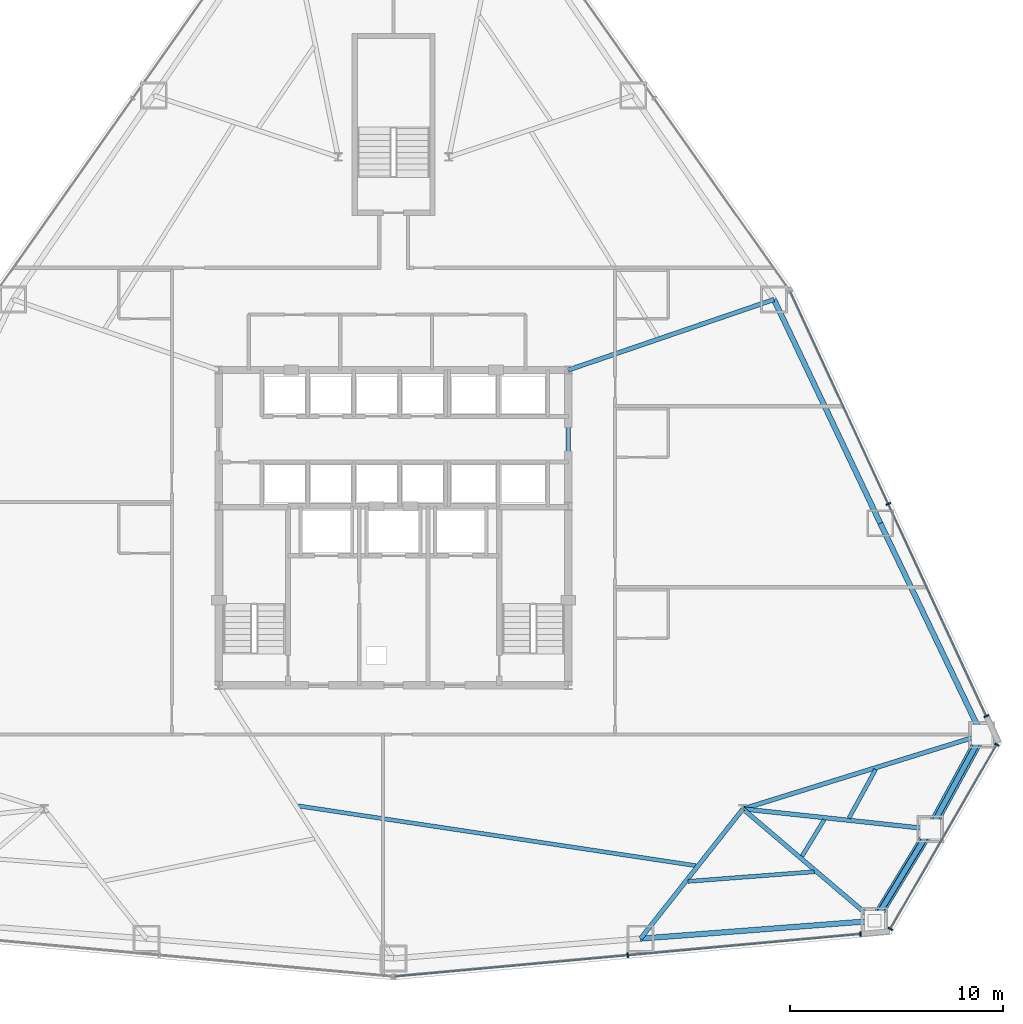
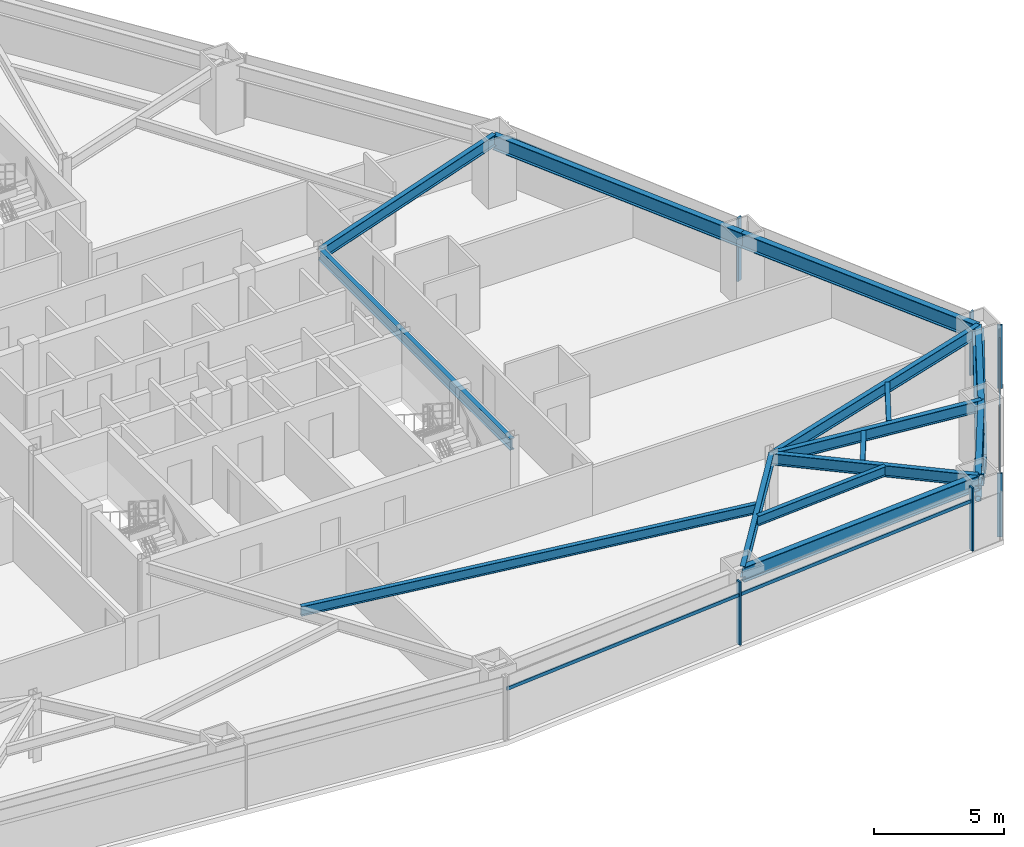
# One storey, part 6 of 12: 15 beams, 12 members, 3 elements without a shape of their own.
"""IFC4 building model written with IfcOpenShell, lengths in metres."""

from ifc_helpers import new_model, si_unit, direction, frame, origin, origin_2d, place, context, subcontext, project, spatial, rectangle, hollow_rectangle, hollow_circle, i_section, extrude, source, transform, mapped, material, layer, layer_set, material_profile, profile_set, type_object, type_shapes, element, aggregate, save


model = new_model("IFC4")

# Units and contexts
model_context = context("Model", 3, precision=1e-05, world=origin(), true_north=direction((0.0, 1.0)))
body_context = subcontext(model_context, "Body", "Model", "MODEL_VIEW")
ifc_project = project(units=[si_unit("LENGTHUNIT", "METRE"), si_unit("AREAUNIT", "SQUARE_METRE"), si_unit("VOLUMEUNIT", "CUBIC_METRE"), si_unit("PLANEANGLEUNIT", "RADIAN"), si_unit("MASSUNIT", "GRAM", prefix="KILO")], contexts=[model_context])

# Site, building, storey
site_placement = place(None, origin())
site = spatial("IfcSite", under=ifc_project, at=site_placement, CompositionType="ELEMENT")
building_placement = place(site_placement, origin())
building = spatial("IfcBuilding", under=site, at=building_placement, Name="Varakhsha Concourse Tower", CompositionType="ELEMENT")
storey_placement = place(building_placement, frame((0.0, 0.0, 36.800048828125)))
storey = spatial("IfcBuildingStorey", under=building, at=storey_placement, Name="L09", CompositionType="ELEMENT", Elevation=36.800048828125)

# Beams
ifc_material_1 = material(Name="Structural Steel ASTM A992 Grade 50", Category="steel")
ifc_material_profile_1 = material_profile(ifc_material_1, i_section(OverallWidth=0.19091796875, OverallDepth=0.45703125, WebThickness=0.009033203125, FlangeThickness=0.013916015625, at=origin_2d()), Name="W18X50")
ifc_profile_set_1 = profile_set([ifc_material_profile_1], Name="Structural Steel ASTM A992 Grade 50")
beam_type_1 = type_object("IfcBeamType", Name="BM-JST-W18X50", PredefinedType="JOIST", material=ifc_profile_set_1)
beam_1_placement = place(storey_placement, frame((35.516845703125, 10.743896484375, 2.75146484375), z_axis=(0.988878100932, -0.14872828076, 0.0), x_axis=(0.14872828076, 0.988878100932, 0.0)))
element("IfcBeam", 1, at=beam_1_placement, inside=storey, type_object=beam_type_1, Name="BM-TJST-L09-11", PredefinedType="JOIST", context=body_context, shape_type="SweptSolid", body=[
    extrude(i_section(OverallWidth=0.19091796875, OverallDepth=0.45703125, WebThickness=0.009033203125, FlangeThickness=0.013916015625, at=origin_2d()), origin(), (0.0, 0.0, 1.0), 18.869384765625),
])
beam_2_placement = place(storey_placement, frame((53.81787109375, 7.198974609375, 2.75146484375), z_axis=(0.997106436116, 0.076018123203, 0.0), x_axis=(-0.076018123203, 0.997106436116, 0.0)))
element("IfcBeam", 2, at=beam_2_placement, inside=storey, type_object=beam_type_1, Name="BM-TJST-L09-12", PredefinedType="JOIST", context=body_context, shape_type="SweptSolid", body=[
    extrude(i_section(OverallWidth=0.19091796875, OverallDepth=0.45703125, WebThickness=0.009033203125, FlangeThickness=0.013916015625, at=origin_2d()), origin(), (0.0, 0.0, 1.0), 5.944580078125),
])
beam_3_placement = place(storey_placement, frame((59.171875, 8.38330078125, 2.75146484375), z_axis=(0.519892692072, 0.854231577928, 0.0), x_axis=(-0.854231577928, 0.519892692072, 0.0)))
element("IfcBeam", 3, at=beam_3_placement, inside=storey, type_object=beam_type_1, Name="BM-TJST-L09-13", PredefinedType="JOIST", context=body_context, shape_type="SweptSolid", body=[
    extrude(i_section(OverallWidth=0.19091796875, OverallDepth=0.45703125, WebThickness=0.009033203125, FlangeThickness=0.013916015625, at=origin_2d()), origin(), (0.0, 0.0, 1.0), 1.99853515625),
])
beam_4_placement = place(storey_placement, frame((61.3759765625, 10.167724609375, 2.75146484375), z_axis=(0.479732261901, 0.877414928578, 0.0), x_axis=(-0.877414928578, 0.479732261901, 0.0)))
element("IfcBeam", 4, at=beam_4_placement, inside=storey, type_object=beam_type_1, Name="BM-TJST-L09-14", PredefinedType="JOIST", context=body_context, shape_type="SweptSolid", body=[
    extrude(i_section(OverallWidth=0.19091796875, OverallDepth=0.45703125, WebThickness=0.009033203125, FlangeThickness=0.013916015625, at=origin_2d()), origin(), (0.0, 0.0, 1.0), 2.603515625),
])
ifc_material_profile_2 = material_profile(ifc_material_1, i_section(OverallWidth=0.2109375, OverallDepth=0.5390625, WebThickness=0.011962890625, FlangeThickness=0.01904296875, at=origin_2d()), Name="W21X73")
ifc_profile_set_2 = profile_set([ifc_material_profile_2], Name="Structural Steel ASTM A992 Grade 50")
beam_type_2 = type_object("IfcBeamType", Name="BM-RAD-W21X73", PredefinedType="BEAM", material=ifc_profile_set_2)
beam_5_placement = place(storey_placement, frame((48.199951171875, 16.39990234375, 2.71044921875), z_axis=(0.0, 1.0, 0.0), x_axis=(-1.0, 0.0, 0.0)))
element("IfcBeam", 5, at=beam_5_placement, inside=storey, type_object=beam_type_2, Name="BM-TCORE-L09-CE", PredefinedType="BEAM", context=body_context, shape_type="SweptSolid", body=[
    extrude(i_section(OverallWidth=0.2109375, OverallDepth=0.5390625, WebThickness=0.011962890625, FlangeThickness=0.01904296875, at=origin_2d()), origin(), (0.0, 0.0, 1.0), 14.800048828125),
])
beam_6_placement = place(storey_placement, frame((56.39990234375, 10.60009765625, 2.71044921875), z_axis=(-0.619646329508, -0.78488115427, 0.0), x_axis=(0.78488115427, -0.619646329508, 0.0)))
element("IfcBeam", 6, at=beam_6_placement, inside=storey, type_object=beam_type_2, Name="L09 Radial Floor Girder 12", PredefinedType="BEAM", context=body_context, shape_type="SweptSolid", body=[
    extrude(i_section(OverallWidth=0.2109375, OverallDepth=0.5390625, WebThickness=0.011962890625, FlangeThickness=0.01904296875, at=origin_2d()), origin(), (0.0, 0.0, 1.0), 7.757080078125),
])
beam_7_placement = place(storey_placement, frame((56.39990234375, 10.60009765625, 2.71044921875), z_axis=(0.761498250571, -0.648166964892, 0.0), x_axis=(0.648166964892, 0.761498250571, 0.0)))
element("IfcBeam", 7, at=beam_7_placement, inside=storey, type_object=beam_type_2, Name="L09 Radial Floor Girder 13", PredefinedType="BEAM", context=body_context, shape_type="SweptSolid", body=[
    extrude(i_section(OverallWidth=0.2109375, OverallDepth=0.5390625, WebThickness=0.011962890625, FlangeThickness=0.01904296875, at=origin_2d()), origin(), (0.0, 0.0, 1.0), 8.10205078125),
])
beam_8_placement = place(storey_placement, frame((56.39990234375, 10.60009765625, 2.71044921875), z_axis=(0.994280497061, -0.106800248893, 0.0), x_axis=(0.106800248893, 0.994280497061, 0.0)))
element("IfcBeam", 8, at=beam_8_placement, inside=storey, type_object=beam_type_2, Name="L09 Radial Floor Girder 14", PredefinedType="BEAM", context=body_context, shape_type="SweptSolid", body=[
    extrude(i_section(OverallWidth=0.2109375, OverallDepth=0.5390625, WebThickness=0.011962890625, FlangeThickness=0.01904296875, at=origin_2d()), origin(), (0.0, 0.0, 1.0), 8.842041015625),
])
beam_9_placement = place(storey_placement, frame((56.39990234375, 10.60009765625, 2.71044921875), z_axis=(0.955056624601, 0.2964234198, 0.0), x_axis=(-0.2964234198, 0.955056624601, 0.0)))
element("IfcBeam", 9, at=beam_9_placement, inside=storey, type_object=beam_type_2, Name="L09 Radial Floor Girder 15", PredefinedType="BEAM", context=body_context, shape_type="SweptSolid", body=[
    extrude(i_section(OverallWidth=0.2109375, OverallDepth=0.5390625, WebThickness=0.011962890625, FlangeThickness=0.01904296875, at=origin_2d()), origin(), (0.0, 0.0, 1.0), 11.73828125),
])
beam_10_placement = place(storey_placement, frame((48.199951171875, 31.199951171875, 2.71044921875), z_axis=(0.945992273848, 0.324189169805, 0.0), x_axis=(-0.324189169805, 0.945992273848, 0.0)))
element("IfcBeam", 10, at=beam_10_placement, inside=storey, type_object=beam_type_2, Name="L09 Radial Floor Girder 17", PredefinedType="BEAM", context=body_context, shape_type="SweptSolid", body=[
    extrude(i_section(OverallWidth=0.2109375, OverallDepth=0.5390625, WebThickness=0.011962890625, FlangeThickness=0.01904296875, at=origin_2d()), origin(), (0.0, 0.0, 1.0), 10.20654296875),
])
ifc_material_profile_3 = material_profile(ifc_material_1, i_section(OverallWidth=0.25390625, OverallDepth=0.701904296875, WebThickness=0.014892578125, FlangeThickness=0.028076171875, at=origin_2d()), Name="W27X129")
ifc_profile_set_3 = profile_set([ifc_material_profile_3], Name="Structural Steel ASTM A992 Grade 50")
beam_type_3 = type_object("IfcBeamType", Name="BM-SPAN-W27X129", PredefinedType="SPANDREL", material=ifc_profile_set_3)
beam_11_placement = place(storey_placement, frame((51.59326171875, 4.51171875, 2.62890625), z_axis=(0.997105791948, 0.076026572094, 0.0), x_axis=(-0.076026572094, 0.997105791948, 0.0)))
element("IfcBeam", 11, at=beam_11_placement, inside=storey, type_object=beam_type_3, Name="BM-SPAN-L09-12", PredefinedType="SPANDREL", context=body_context, shape_type="SweptSolid", body=[
    extrude(i_section(OverallWidth=0.25390625, OverallDepth=0.701904296875, WebThickness=0.014892578125, FlangeThickness=0.028076171875, at=origin_2d()), origin(), (0.0, 0.0, 1.0), 11.008056640625),
])
beam_12_placement = place(storey_placement, frame((62.569580078125, 5.3486328125, 2.62890625), z_axis=(0.519960770998, 0.85419014079, 0.0), x_axis=(-0.85419014079, 0.519960770998, 0.0)))
element("IfcBeam", 12, at=beam_12_placement, inside=storey, type_object=beam_type_3, Name="BM-SPAN-L09-13", PredefinedType="SPANDREL", context=body_context, shape_type="SweptSolid", body=[
    extrude(i_section(OverallWidth=0.25390625, OverallDepth=0.701904296875, WebThickness=0.014892578125, FlangeThickness=0.028076171875, at=origin_2d()), origin(), (0.0, 0.0, 1.0), 5.042236328125),
])
beam_13_placement = place(storey_placement, frame((65.19140625, 9.65576171875, 2.62890625), z_axis=(0.479798364466, 0.87737878334, 0.0), x_axis=(-0.87737878334, 0.479798364466, 0.0)))
element("IfcBeam", 13, at=beam_13_placement, inside=storey, type_object=beam_type_3, Name="BM-SPAN-L09-14", PredefinedType="SPANDREL", context=body_context, shape_type="SweptSolid", body=[
    extrude(i_section(OverallWidth=0.25390625, OverallDepth=0.701904296875, WebThickness=0.014892578125, FlangeThickness=0.028076171875, at=origin_2d()), origin(), (0.0, 0.0, 1.0), 5.0419921875),
])
beam_14_placement = place(storey_placement, frame((67.610595703125, 14.07958984375, 2.62890625), z_axis=(-0.432704390999, 0.901535861744, 0.0), x_axis=(-0.901535861744, -0.432704390999, 0.0)))
element("IfcBeam", 14, at=beam_14_placement, inside=storey, type_object=beam_type_3, Name="BM-SPAN-L09-15", PredefinedType="SPANDREL", context=body_context, shape_type="SweptSolid", body=[
    extrude(i_section(OverallWidth=0.25390625, OverallDepth=0.701904296875, WebThickness=0.014892578125, FlangeThickness=0.028076171875, at=origin_2d()), origin(), (0.0, 0.0, 1.0), 11.008544921875),
])
beam_15_placement = place(storey_placement, frame((62.84716796875, 24.004150390625, 2.62890625), z_axis=(-0.429213950227, 0.903202848164, 0.0), x_axis=(-0.903202848164, -0.429213950227, 0.0)))
element("IfcBeam", 15, at=beam_15_placement, inside=storey, type_object=beam_type_3, Name="BM-SPAN-L09-16", PredefinedType="SPANDREL", context=body_context, shape_type="SweptSolid", body=[
    extrude(i_section(OverallWidth=0.25390625, OverallDepth=0.701904296875, WebThickness=0.014892578125, FlangeThickness=0.028076171875, at=origin_2d()), origin(), (0.0, 0.0, 1.0), 11.63037109375),
])

# Members
ifc_material_2 = material(Name="Structural Steel ASTM A500 Grade C", Category="steel")
ifc_material_profile_4 = material_profile(ifc_material_2, hollow_rectangle(XDim=0.449951171875, YDim=0.449951171875, WallThickness=0.01904296875, at=origin_2d()), Name="HSS 450x450x19")
ifc_profile_set_4 = profile_set([ifc_material_profile_4], Name="Structural Steel ASTM A500 Grade C")
member_type_1 = type_object("IfcMemberType", Name="MB-TUBE-HSS450", PredefinedType="BRACE", material=ifc_profile_set_4)
shared_shape_1 = source(origin(), body_context, "Body", "SweptSolid", [
    extrude(hollow_rectangle(XDim=0.449951171875, YDim=0.449951171875, WallThickness=0.01904296875, at=origin_2d()), origin(), (0.0, 0.0, 1.0), 5.65478515625),
])
member_1_placement = place(storey_placement, frame((65.19140625, 9.65576171875, 0.119873046875), z_axis=(0.427812544431, 0.782315400654, 0.452724022697), x_axis=(-0.87737878334, 0.479798364466, 0.0)))
element("IfcMember", 16, at=member_1_placement, inside=storey, type_object=member_type_1, Name="L09 Wind-Corner Tube Brace B06", PredefinedType="BRACE", context=body_context, shape_type="MappedRepresentation", body=[
    mapped(shared_shape_1, transform((0.0, 0.0, 0.0), scale=1.0)),
])
shared_shape_2 = source(origin(), body_context, "Body", "SweptSolid", [
    extrude(hollow_rectangle(XDim=0.449951171875, YDim=0.449951171875, WallThickness=0.01904296875, at=origin_2d()), origin(), (0.0, 0.0, 1.0), 5.655029296875),
])
type_shapes(member_type_1, [shared_shape_1, shared_shape_2])
member_2_placement = place(storey_placement, frame((65.19140625, 9.65576171875, 0.119873046875), z_axis=(-0.463628238856, -0.761647210159, 0.452705625537), x_axis=(0.85419014079, -0.519960770998, 0.0)))
element("IfcMember", 17, at=member_2_placement, inside=storey, type_object=member_type_1, Name="L09 Wind-Corner Tube Brace B05", PredefinedType="BRACE", context=body_context, shape_type="MappedRepresentation", body=[
    mapped(shared_shape_2, transform((0.0, 0.0, 0.0), scale=1.0)),
])
ifc_material_profile_5 = material_profile(ifc_material_2, hollow_circle(Radius=0.136474609375, WallThickness=0.011962890625, at=origin_2d()), Name="CHS 273x12")
ifc_profile_set_5 = profile_set([ifc_material_profile_5], Name="Structural Steel ASTM A500 Grade C")
member_type_2 = type_object("IfcMemberType", Name="MB-WIND-CHS273", PredefinedType="COLLAR", material=ifc_profile_set_5)
shared_shape_3 = source(origin(), body_context, "Body", "SweptSolid", [
    extrude(hollow_circle(Radius=0.136474609375, WallThickness=0.011962890625, at=origin_2d()), origin(), (0.0, 0.0, 1.0), 5.042236328125),
])
type_shapes(member_type_2, [shared_shape_3])
member_3_placement = place(storey_placement, frame((62.569580078125, 5.3486328125, 1.800048828125), z_axis=(0.519960770998, 0.85419014079, 0.0), x_axis=(-0.85419014079, 0.519960770998, 0.0)))
element("IfcMember", 18, at=member_3_placement, inside=storey, type_object=member_type_2, Name="L09 Wind-Corner Collar Tie 3", PredefinedType="COLLAR", context=body_context, shape_type="MappedRepresentation", body=[
    mapped(shared_shape_3, transform((0.0, 0.0, 0.0), scale=1.0)),
])

# Curtain wall, members
ifc_material_3 = material(Name="Anodised Bronze Architectural Aluminium AA 6063-T6", Category="aluminium")
ifc_layer = layer(ifc_material_3, 0.219970703125, Name="CW-SYS-02")
ifc_layer_set = layer_set([ifc_layer], Name="Anodised Bronze Architectural Aluminium AA 6063-T6")
curtain_wall_type = type_object("IfcCurtainWallType", Name="CW-SYS-02", PredefinedType="NOTDEFINED", material=ifc_layer_set)
curtain_wall_1_placement = place(storey_placement, origin())
curtain_wall_1 = element("IfcCurtainWall", 19, at=curtain_wall_1_placement, inside=storey, type_object=curtain_wall_type, Name="L09 Crystal Curtain Wall F6", PredefinedType="NOTDEFINED")
ifc_material_profile_6 = material_profile(ifc_material_3, rectangle(XDim=0.074951171875, YDim=0.219970703125, at=origin_2d()), Name="CWM-220X75")
ifc_profile_set_6 = profile_set([ifc_material_profile_6], Name="Anodised Bronze Architectural Aluminium AA 6063-T6")
member_type_3 = type_object("IfcMemberType", Name="CWM-220X75", PredefinedType="MULLION", material=ifc_profile_set_6)
shared_shape_4 = source(origin(), body_context, "Body", "SweptSolid", [
    extrude(rectangle(XDim=0.074951171875, YDim=0.219970703125, at=origin_2d()), origin(), (0.0, 0.0, 1.0), 2.97998046875),
])
type_shapes(member_type_3, [shared_shape_4])
member_4_placement = place(storey_placement, frame((61.917724609375, 4.73046875, 0.0), z_axis=(0.0, 0.0, 1.0), x_axis=(-0.995866028897, -0.090834203295, 0.0)))
member_4 = element("IfcMember", 20, at=member_4_placement, type_object=member_type_3, Name="CW-L09-F6 Mullion 00", PredefinedType="MULLION", context=body_context, shape_type="MappedRepresentation", body=[
    mapped(shared_shape_4, transform((0.0, 0.0, 0.0), scale=1.0)),
])
member_5_placement = place(storey_placement, frame((50.991455078125, 3.73388671875, 0.0), z_axis=(0.0, 0.0, 1.0), x_axis=(-0.995866028897, -0.090834203295, 0.0)))
member_5 = element("IfcMember", 21, at=member_5_placement, type_object=member_type_3, Name="CW-L09-F6 Mullion 01", PredefinedType="MULLION", context=body_context, shape_type="MappedRepresentation", body=[
    mapped(shared_shape_4, transform((0.0, 0.0, 0.0), scale=1.0)),
])

curtain_wall_2_placement = place(storey_placement, origin())
curtain_wall_2 = element("IfcCurtainWall", 22, at=curtain_wall_2_placement, inside=storey, type_object=curtain_wall_type, Name="L09 Chamfer Curtain Wall F7", PredefinedType="NOTDEFINED")
member_6_placement = place(storey_placement, frame((68.31201171875, 13.620849609375, 0.0), z_axis=(0.0, 0.0, 1.0), x_axis=(-0.4999984885, -0.866026276448, 0.0)))
member_6 = element("IfcMember", 23, at=member_6_placement, type_object=member_type_3, Name="CW-L09-F7 Mullion 00", PredefinedType="MULLION", context=body_context, shape_type="MappedRepresentation", body=[
    mapped(shared_shape_4, transform((0.0, 0.0, 0.0), scale=1.0)),
])
member_7_placement = place(storey_placement, frame((63.31787109375, 4.970458984375, 0.0), z_axis=(0.0, 0.0, 1.0), x_axis=(-0.4999984885, -0.866026276448, 0.0)))
member_7 = element("IfcMember", 24, at=member_7_placement, type_object=member_type_3, Name="CW-L09-F7 Mullion 01", PredefinedType="MULLION", context=body_context, shape_type="MappedRepresentation", body=[
    mapped(shared_shape_4, transform((0.0, 0.0, 0.0), scale=1.0)),
])

curtain_wall_3_placement = place(storey_placement, origin())
curtain_wall_3 = element("IfcCurtainWall", 25, at=curtain_wall_3_placement, inside=storey, type_object=curtain_wall_type, Name="L09 Crystal Curtain Wall F8", PredefinedType="NOTDEFINED")
member_8_placement = place(storey_placement, frame((63.219970703125, 24.914306640625, 0.0), z_axis=(0.0, 0.0, 1.0), x_axis=(0.419269871381, -0.907861649676, 0.0)))
member_8 = element("IfcMember", 26, at=member_8_placement, type_object=member_type_3, Name="CW-L09-F8 Mullion 01", PredefinedType="MULLION", context=body_context, shape_type="MappedRepresentation", body=[
    mapped(shared_shape_4, transform((0.0, 0.0, 0.0), scale=1.0)),
])
member_9_placement = place(storey_placement, frame((67.820068359375, 14.953369140625, 0.0), z_axis=(0.0, 0.0, 1.0), x_axis=(0.419269871381, -0.907861649676, 0.0)))
member_9 = element("IfcMember", 27, at=member_9_placement, type_object=member_type_3, Name="CW-L09-F8 Mullion 02", PredefinedType="MULLION", context=body_context, shape_type="MappedRepresentation", body=[
    mapped(shared_shape_4, transform((0.0, 0.0, 0.0), scale=1.0)),
])

# Member
ifc_material_profile_7 = material_profile(ifc_material_3, rectangle(XDim=0.06494140625, YDim=0.159912109375, at=origin_2d()), Name="CWT-160X65")
ifc_profile_set_7 = profile_set([ifc_material_profile_7], Name="Anodised Bronze Architectural Aluminium AA 6063-T6")
member_type_4 = type_object("IfcMemberType", Name="CWT-160X65", PredefinedType="USERDEFINED", material=ifc_profile_set_7)
shared_shape_5 = source(origin(), body_context, "Body", "SweptSolid", [
    extrude(rectangle(XDim=0.06494140625, YDim=0.159912109375, at=origin_2d()), origin(), (0.0, 0.0, 1.0), 21.943359375),
])
member_10_placement = place(storey_placement, frame((61.917724609375, 4.73046875, 2.329833984375), z_axis=(-0.995866167966, -0.09083267859, 0.0), x_axis=(0.09083267859, -0.995866167966, 0.0)))
member_10 = element("IfcMember", 28, at=member_10_placement, type_object=member_type_4, Name="CW-L09-F6 Transom 01", ObjectType="TRANSOM", PredefinedType="USERDEFINED", context=body_context, shape_type="MappedRepresentation", body=[
    mapped(shared_shape_5, transform((0.0, 0.0, 0.0), scale=1.0)),
])

aggregate(curtain_wall_1, [member_4, member_5, member_10])

member_11_placement = place(storey_placement, frame((58.619873046875, 34.875, 2.329833984375), z_axis=(0.419268418601, -0.907862320599, 0.0), x_axis=(0.907862320599, 0.419268418601, 0.0)))
member_11 = element("IfcMember", 29, at=member_11_placement, type_object=member_type_4, Name="CW-L09-F8 Transom 01", ObjectType="TRANSOM", PredefinedType="USERDEFINED", context=body_context, shape_type="MappedRepresentation", body=[
    mapped(shared_shape_5, transform((0.0, 0.0, 0.0), scale=1.0)),
])

aggregate(curtain_wall_3, [member_8, member_9, member_11])

shared_shape_6 = source(origin(), body_context, "Body", "SweptSolid", [
    extrude(rectangle(XDim=0.06494140625, YDim=0.159912109375, at=origin_2d()), origin(), (0.0, 0.0, 1.0), 9.988525390625),
])
type_shapes(member_type_4, [shared_shape_5, shared_shape_6])
member_12_placement = place(storey_placement, frame((68.31201171875, 13.620849609375, 2.329833984375), z_axis=(-0.499987630939, -0.866032544947, 0.0), x_axis=(0.866032544947, -0.499987630939, 0.0)))
member_12 = element("IfcMember", 30, at=member_12_placement, type_object=member_type_4, Name="CW-L09-F7 Transom 01", ObjectType="TRANSOM", PredefinedType="USERDEFINED", context=body_context, shape_type="MappedRepresentation", body=[
    mapped(shared_shape_6, transform((0.0, 0.0, 0.0), scale=1.0)),
])

aggregate(curtain_wall_2, [member_6, member_7, member_12])

save(model, "model.ifc")
